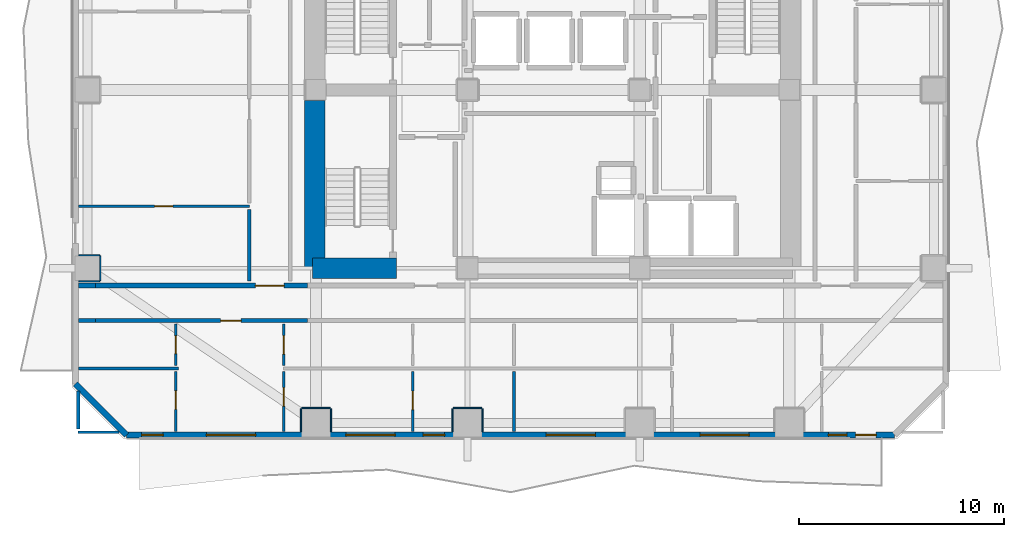
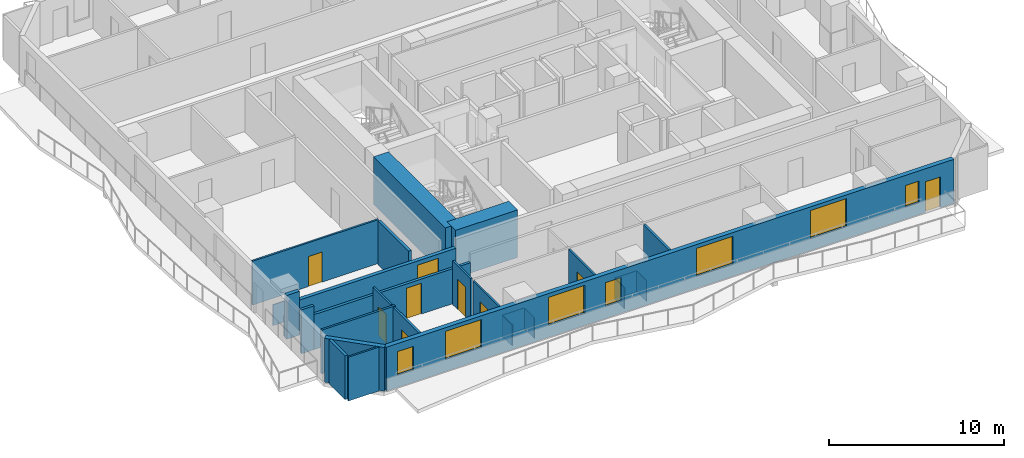
# One storey, part 2 of 12: 28 walls, 9 doors, 7 windows, 16 openings.
"""IFC4 building model written with IfcOpenShell, lengths in metres."""

from ifc_helpers import new_model, si_unit, direction, frame, frame_2d, origin, place, context, subcontext, project, spatial, rectangle, extrude, material, layer, layer_set, type_object, element, fill, save


model = new_model("IFC4")

# Units and contexts
model_context = context("Model", 3, precision=1e-05, world=origin(), true_north=direction((0.0, 1.0)))
body_context = subcontext(model_context, "Body", "Model", "MODEL_VIEW")
ifc_project = project(units=[si_unit("LENGTHUNIT", "METRE"), si_unit("AREAUNIT", "SQUARE_METRE"), si_unit("VOLUMEUNIT", "CUBIC_METRE"), si_unit("PLANEANGLEUNIT", "RADIAN"), si_unit("MASSUNIT", "GRAM", prefix="KILO")], contexts=[model_context])

# Site, building, storey
site_placement = place(None, origin())
site = spatial("IfcSite", under=ifc_project, at=site_placement, CompositionType="ELEMENT")
building_placement = place(site_placement, origin())
building = spatial("IfcBuilding", under=site, at=building_placement, Name="Solanera Arch Residences", CompositionType="ELEMENT")
storey_placement = place(building_placement, frame((0.0, 0.0, 96.1201171875)))
storey = spatial("IfcBuildingStorey", under=building, at=storey_placement, Name="L27", CompositionType="ELEMENT", Elevation=96.1201171875)

# Walls
ifc_material_1 = material(Name="Fire-Rated Gypsum Stud Partition", Category="gypsum")
ifc_layer_1 = layer(ifc_material_1, 0.06005859375)
ifc_layer_set_1 = layer_set([ifc_layer_1], Name="Fire-Rated Gypsum Stud Partition")
wall_type_1 = type_object("IfcWallType", Name="Column Acoustic Furring Wall 60", PredefinedType="PARTITIONING", material=ifc_layer_set_1)
wall_1_placement = place(storey_placement, frame((12.699951171875, 15.181884765625, 0.0), z_axis=(0.0, 0.0, 1.0), x_axis=(1.0, 0.0, 0.0)))
element("IfcWall", 1, at=wall_1_placement, inside=storey, type_object=wall_type_1, Name="L27 Column Furring 9N", PredefinedType="PARTITIONING", context=body_context, shape_type="SweptSolid", body=[
    extrude(rectangle(XDim=1.400146484375, YDim=0.06005859375, at=frame_2d((0.7001953125, 0.0))), origin(), (0.0, 0.0, 1.0), 1.449951171875),
])
for number, where, z_axis, x_axis, name in (
    (2, (12.66796875, 14.030029296875, 0.0), (0.0, 0.0, 1.0), (0.0, 1.0, 0.0), "L27 Column Furring 9W"),
    (3, (14.132080078125, 14.030029296875, 0.0), (0.0, 0.0, 1.0), (0.0, 1.0, 0.0), "L27 Column Furring 9E"),
):
    element("IfcWall", number, at=place(storey_placement, frame(where, z_axis=z_axis, x_axis=x_axis)), inside=storey, type_object=wall_type_1, Name=name, PredefinedType="PARTITIONING", context=body_context, shape_type="SweptSolid", body=[
        extrude(rectangle(XDim=1.119873046875, YDim=0.06005859375, at=frame_2d((0.56005859375, 0.0))), origin(), (0.0, 0.0, 1.0), 1.449951171875),
    ])
wall_2_placement = place(storey_placement, frame((20.10009765625, 15.181884765625, 0.0), z_axis=(0.0, 0.0, 1.0), x_axis=(1.0, 0.0, 0.0)))
element("IfcWall", 4, at=wall_2_placement, inside=storey, type_object=wall_type_1, Name="L27 Column Furring 11N", PredefinedType="PARTITIONING", context=body_context, shape_type="SweptSolid", body=[
    extrude(rectangle(XDim=1.39990234375, YDim=0.06005859375, at=frame_2d((0.699951171875, 0.0))), origin(), (0.0, 0.0, 1.0), 1.449951171875),
])
for number, where, z_axis, x_axis, name in (
    (5, (20.068115234375, 14.030029296875, 0.0), (0.0, 0.0, 1.0), (0.0, 1.0, 0.0), "L27 Column Furring 11W"),
    (6, (21.531982421875, 14.030029296875, 0.0), (0.0, 0.0, 1.0), (0.0, 1.0, 0.0), "L27 Column Furring 11E"),
):
    element("IfcWall", number, at=place(storey_placement, frame(where, z_axis=z_axis, x_axis=x_axis)), inside=storey, type_object=wall_type_1, Name=name, PredefinedType="PARTITIONING", context=body_context, shape_type="SweptSolid", body=[
        extrude(rectangle(XDim=1.119873046875, YDim=0.06005859375, at=frame_2d((0.56005859375, 0.0))), origin(), (0.0, 0.0, 1.0), 1.449951171875),
    ])
for number, where, z_axis, x_axis, name in (
    (7, (1.830078125, 21.367919921875, 0.0), (0.0, 0.0, 1.0), (1.0, 0.0, 0.0), "L27 Column Furring 17S"),
    (8, (1.830078125, 22.632080078125, 0.0), (0.0, 0.0, 1.0), (1.0, 0.0, 0.0), "L27 Column Furring 17N"),
):
    element("IfcWall", number, at=place(storey_placement, frame(where, z_axis=z_axis, x_axis=x_axis)), inside=storey, type_object=wall_type_1, Name=name, PredefinedType="PARTITIONING", context=body_context, shape_type="SweptSolid", body=[
        extrude(rectangle(XDim=1.02001953125, YDim=0.06005859375, at=frame_2d((0.510009765625, 0.0))), origin(), (0.0, 0.0, 1.0), 1.449951171875),
    ])
wall_3_placement = place(storey_placement, frame((2.882080078125, 21.39990234375, 0.0), z_axis=(0.0, 0.0, 1.0), x_axis=(0.0, 1.0, 0.0)))
element("IfcWall", 9, at=wall_3_placement, inside=storey, type_object=wall_type_1, Name="L27 Column Furring 17E", PredefinedType="PARTITIONING", context=body_context, shape_type="SweptSolid", body=[
    extrude(rectangle(XDim=1.2001953125, YDim=0.06005859375, at=frame_2d((0.60009765625, 0.0))), origin(), (0.0, 0.0, 1.0), 1.449951171875),
])
ifc_material_2 = material(Name="Concrete C55/67 (f'c = 60 MPa)", Category="concrete")
ifc_layer_2 = layer(ifc_material_2, 1.0)
ifc_layer_set_2 = layer_set([ifc_layer_2], Name="Concrete C55/67 (f'c = 60 MPa)")
wall_type_2 = type_object("IfcWallType", Name="Core Shear Wall CW-1000", PredefinedType="SHEAR", material=ifc_layer_set_2)
wall_4_placement = place(storey_placement, frame((13.340087890625, 22.0, 0.0), z_axis=(0.0, 0.0, 1.0), x_axis=(0.0, 1.0, 0.0)))
element("IfcWall", 10, at=wall_4_placement, inside=storey, type_object=wall_type_2, Name="L27 West Core South Shear Wall", PredefinedType="SHEAR", context=body_context, shape_type="SweptSolid", body=[
    extrude(rectangle(XDim=8.195068359375, YDim=1.0, at=frame_2d((4.09765625, 0.0))), origin(), (0.0, 0.0, 1.0), 3.31982421875),
])
wall_5_placement = place(storey_placement, frame((13.239990234375, 22.0, 0.0), z_axis=(0.0, 0.0, 1.0), x_axis=(1.0, 0.0, 0.0)))
element("IfcWall", 11, at=wall_5_placement, inside=storey, type_object=wall_type_2, Name="L27 South-West Core Shear Wall", PredefinedType="SHEAR", context=body_context, shape_type="SweptSolid", body=[
    extrude(rectangle(XDim=4.080078125, YDim=1.0, at=frame_2d((2.0400390625, 0.0))), origin(), (0.0, 0.0, 1.0), 3.31982421875),
])
ifc_material_3 = material(Name="Autoclaved Aerated Concrete Blockwork", Category="masonry")
ifc_layer_3 = layer(ifc_material_3, 0.179931640625)
ifc_layer_set_3 = layer_set([ifc_layer_3], Name="Autoclaved Aerated Concrete Blockwork")
wall_type_3 = type_object("IfcWallType", Name="Corridor Fire Partition 180", PredefinedType="PARTITIONING", material=ifc_layer_set_3)
wall_6_placement = place(storey_placement, frame((1.826904296875, 19.449951171875, 0.0), z_axis=(0.0, 0.0, 1.0), x_axis=(1.0, 0.0, 0.0)))
element("IfcWall", 12, at=wall_6_placement, inside=storey, type_object=wall_type_3, Name="L27 Interior Partition H7 1", PredefinedType="PARTITIONING", context=body_context, shape_type="SweptSolid", body=[
    extrude(rectangle(XDim=0.830078125, YDim=0.179931640625, at=frame_2d((0.4150390625, 0.0))), origin(), (0.0, 0.0, 1.0), 3.059814453125),
])

# Wall, opening, door
wall_7_placement = place(storey_placement, frame((2.656982421875, 19.449951171875, 0.0), z_axis=(0.0, 0.0, 1.0), x_axis=(1.0, 0.0, 0.0)))
wall_7 = element("IfcWall", 13, at=wall_7_placement, inside=storey, type_object=wall_type_3, Name="L27 Interior Partition H7 2", PredefinedType="PARTITIONING", context=body_context, shape_type="SweptSolid", body=[
    extrude(rectangle(XDim=10.3359375, YDim=0.179931640625, at=frame_2d((5.16796875, 0.0))), origin(), (0.0, 0.0, 1.0), 2.44482421875),
])
opening_1_placement = place(wall_7_placement, frame((6.09912109375, 0.0, 0.0)))
opening_1 = element("IfcOpeningElement", 14, at=opening_1_placement, cuts=wall_7, Name="Opening DI-01", PredefinedType="OPENING", context=body_context, shape_type="SweptSolid", body=[
    extrude(rectangle(XDim=1.0, YDim=2.14990234375, at=frame_2d((0.5, 1.074951171875))), frame((0.0, 0.10009765625, 0.0), z_axis=(0.0, -1.0, 0.0), x_axis=(1.0, 0.0, 0.0)), (0.0, 0.0, 1.0), 0.1999),
])
ifc_material_4 = material(Name="Fire-Rated Architectural Hardwood", Category="wood")
door_type_1 = type_object("IfcDoorType", Name="Unit Entrance Fire Door DI-01", OperationType="NOTDEFINED", PredefinedType="DOOR", material=ifc_material_4)
door_1_placement = place(opening_1_placement, origin())
door_1 = element("IfcDoor", 15, at=door_1_placement, inside=storey, type_object=door_type_1, Name="DR-L27-IN-017", OperationType="SINGLE_SWING_RIGHT", OverallHeight=2.14990234375, OverallWidth=1.0, PredefinedType="DOOR", context=body_context, shape_type="SweptSolid", body=[
    extrude(rectangle(XDim=1.0, YDim=2.14990234375, at=frame_2d((0.5, 1.074951171875))), frame((0.0, 0.02490234375, 0.0), z_axis=(0.0, -1.0, 0.0), x_axis=(1.0, 0.0, 0.0)), (0.0, 0.0, 1.0), 0.050048828125),
])
fill(opening_1, door_1)

# Walls
wall_8_placement = place(storey_placement, frame((1.800048828125, 14.157958984375, 0.0), z_axis=(0.0, 0.0, 1.0), x_axis=(0.0, 1.0, 0.0)))
element("IfcWall", 16, at=wall_8_placement, inside=storey, type_object=wall_type_3, Name="L27 Interior Partition V7 1", PredefinedType="PARTITIONING", context=body_context, shape_type="SweptSolid", body=[
    extrude(rectangle(XDim=1.843017578125, YDim=0.179931640625, at=frame_2d((0.92138671875, 0.0))), origin(), (0.0, 0.0, 1.0), 3.059814453125),
])
wall_9_placement = place(storey_placement, frame((10.14990234375, 21.367919921875, 0.0), z_axis=(0.0, 0.0, 1.0), x_axis=(0.0, 1.0, 0.0)))
element("IfcWall", 17, at=wall_9_placement, inside=storey, type_object=wall_type_3, Name="L27 Interior Partition V8 1", PredefinedType="PARTITIONING", context=body_context, shape_type="SweptSolid", body=[
    extrude(rectangle(XDim=3.4921875, YDim=0.179931640625, at=frame_2d((1.74609375, 0.0))), origin(), (0.0, 0.0, 1.0), 3.059814453125),
])

# Wall, openings, door, windows
ifc_material_5 = material(Name="Precast Concrete C35/45", Category="concrete")
ifc_layer_4 = layer(ifc_material_5, 0.300048828125)
ifc_layer_set_4 = layer_set([ifc_layer_4], Name="Precast Concrete C35/45")
wall_type_4 = type_object("IfcWallType", Name="Exterior Wall Precast Masonry-Frame 300", PredefinedType="STANDARD", material=ifc_layer_set_4)
wall_10_placement = place(storey_placement, frame((41.635009765625, 13.864990234375, 0.0), z_axis=(0.0, 0.0, 1.0), x_axis=(-1.0, 0.0, 0.0)))
wall_10 = element("IfcWall", 18, at=wall_10_placement, inside=storey, type_object=wall_type_4, Name="L27 Tower Exterior Precast Masonry-Frame Wall S", PredefinedType="STANDARD", context=body_context, shape_type="SweptSolid", body=[
    extrude(rectangle(XDim=37.469970703125, YDim=0.300048828125, at=frame_2d((18.73486328125, 0.0))), origin(), (0.0, 0.0, 1.0), 3.059814453125),
])
opening_2_placement = place(wall_10_placement, frame((0.90087890625, 0.0, 0.0)))
opening_2 = element("IfcOpeningElement", 19, at=opening_2_placement, cuts=wall_10, Name="Opening DB-01", PredefinedType="OPENING", context=body_context, shape_type="SweptSolid", body=[
    extrude(rectangle(XDim=1.0, YDim=2.14990234375, at=frame_2d((0.5, 1.074951171875))), frame((0.0, 0.159912109375, 0.0), z_axis=(0.0, -1.0, 0.0), x_axis=(1.0, 0.0, 0.0)), (0.0, 0.0, 1.0), 0.32),
])
opening_3_placement = place(wall_10_placement, frame((31.178955078125, 0.0, 0.85009765625)))
opening_3 = element("IfcOpeningElement", 20, at=opening_3_placement, cuts=wall_10, Name="Opening W-05", PredefinedType="OPENING", context=body_context, shape_type="SweptSolid", body=[
    extrude(rectangle(XDim=2.39990234375, YDim=1.949951171875, at=frame_2d((1.199951171875, 0.97509765625))), frame((0.0, 0.159912109375, 0.0), z_axis=(0.0, -1.0, 0.0), x_axis=(1.0, 0.0, 0.0)), (0.0, 0.0, 1.0), 0.32),
])
opening_4_placement = place(wall_10_placement, frame((35.68603515625, 0.0, 0.85009765625)))
opening_4 = element("IfcOpeningElement", 21, at=opening_4_placement, cuts=wall_10, Name="Opening W-07", PredefinedType="OPENING", context=body_context, shape_type="SweptSolid", body=[
    extrude(rectangle(XDim=1.050048828125, YDim=1.64990234375, at=frame_2d((0.52490234375, 0.824951171875))), frame((0.0, 0.159912109375, 0.0), z_axis=(0.0, -1.0, 0.0), x_axis=(1.0, 0.0, 0.0)), (0.0, 0.0, 1.0), 0.32),
])
opening_5_placement = place(wall_10_placement, frame((24.3740234375, 0.0, 0.85009765625)))
opening_5 = element("IfcOpeningElement", 22, at=opening_5_placement, cuts=wall_10, Name="Opening W-05", PredefinedType="OPENING", context=body_context, shape_type="SweptSolid", body=[
    extrude(rectangle(XDim=2.39990234375, YDim=1.949951171875, at=frame_2d((1.199951171875, 0.97509765625))), frame((0.0, 0.159912109375, 0.0), z_axis=(0.0, -1.0, 0.0), x_axis=(1.0, 0.0, 0.0)), (0.0, 0.0, 1.0), 0.32),
])
opening_6_placement = place(wall_10_placement, frame((21.949951171875, 0.0, 0.85009765625)))
opening_6 = element("IfcOpeningElement", 23, at=opening_6_placement, cuts=wall_10, Name="Opening W-07", PredefinedType="OPENING", context=body_context, shape_type="SweptSolid", body=[
    extrude(rectangle(XDim=1.050048828125, YDim=1.64990234375, at=frame_2d((0.52490234375, 0.824951171875))), frame((0.0, 0.159912109375, 0.0), z_axis=(0.0, -1.0, 0.0), x_axis=(1.0, 0.0, 0.0)), (0.0, 0.0, 1.0), 0.32),
])
opening_7_placement = place(wall_10_placement, frame((7.094970703125, 0.0, 0.85009765625)))
opening_7 = element("IfcOpeningElement", 24, at=opening_7_placement, cuts=wall_10, Name="Opening W-05", PredefinedType="OPENING", context=body_context, shape_type="SweptSolid", body=[
    extrude(rectangle(XDim=2.39990234375, YDim=1.949951171875, at=frame_2d((1.199951171875, 0.97509765625))), frame((0.0, 0.159912109375, 0.0), z_axis=(0.0, -1.0, 0.0), x_axis=(1.0, 0.0, 0.0)), (0.0, 0.0, 1.0), 0.32),
])
opening_8_placement = place(wall_10_placement, frame((14.59912109375, 0.0, 0.85009765625)))
opening_8 = element("IfcOpeningElement", 25, at=opening_8_placement, cuts=wall_10, Name="Opening W-05", PredefinedType="OPENING", context=body_context, shape_type="SweptSolid", body=[
    extrude(rectangle(XDim=2.39990234375, YDim=1.949951171875, at=frame_2d((1.199951171875, 0.97509765625))), frame((0.0, 0.159912109375, 0.0), z_axis=(0.0, -1.0, 0.0), x_axis=(1.0, 0.0, 0.0)), (0.0, 0.0, 1.0), 0.32),
])
opening_9_placement = place(wall_10_placement, frame((2.327880859375, 0.0, 0.85009765625)))
opening_9 = element("IfcOpeningElement", 26, at=opening_9_placement, cuts=wall_10, Name="Opening W-06", PredefinedType="OPENING", context=body_context, shape_type="SweptSolid", body=[
    extrude(rectangle(XDim=0.89990234375, YDim=1.5, at=frame_2d((0.449951171875, 0.75))), frame((0.0, 0.159912109375, 0.0), z_axis=(0.0, -1.0, 0.0), x_axis=(1.0, 0.0, 0.0)), (0.0, 0.0, 1.0), 0.32),
])
ifc_material_6 = material(Name="Anodised Aluminium Alloy 6063-T6", Category="aluminium")
door_type_2 = type_object("IfcDoorType", Name="Glazed Balcony Swing Door DB-01", OperationType="NOTDEFINED", PredefinedType="DOOR", material=ifc_material_6)
door_2_placement = place(opening_2_placement, origin())
door_2 = element("IfcDoor", 27, at=door_2_placement, inside=storey, type_object=door_type_2, Name="DR-L27-OUT-01", OperationType="SINGLE_SWING_LEFT", OverallHeight=2.14990234375, OverallWidth=1.0, PredefinedType="DOOR", context=body_context, shape_type="SweptSolid", body=[
    extrude(rectangle(XDim=1.0, YDim=2.14990234375, at=frame_2d((0.5, 1.074951171875))), frame((0.0, 0.02490234375, 0.0), z_axis=(0.0, -1.0, 0.0), x_axis=(1.0, 0.0, 0.0)), (0.0, 0.0, 1.0), 0.050048828125),
])
fill(opening_2, door_2)
ifc_material_7 = material(Name="Double Glazed Low-E Laminated Glass", Category="glass")
window_type_1 = type_object("IfcWindowType", Name="Punched Window W-05", PartitioningType="TRIPLE_PANEL_VERTICAL", PredefinedType="WINDOW", material=ifc_material_7)
window_1_placement = place(opening_3_placement, origin())
window_1 = element("IfcWindow", 28, at=window_1_placement, inside=storey, type_object=window_type_1, Name="L27 2701-LIV Punched Window", OverallHeight=1.949951171875, OverallWidth=2.39990234375, PartitioningType="SINGLE_PANEL", PredefinedType="WINDOW", context=body_context, shape_type="SweptSolid", body=[
    extrude(rectangle(XDim=2.39990234375, YDim=1.949951171875, at=frame_2d((1.199951171875, 0.97509765625))), frame((0.0, 0.030029296875, 0.0), z_axis=(0.0, -1.0, 0.0), x_axis=(1.0, 0.0, 0.0)), (0.0, 0.0, 1.0), 0.06005859375),
])
fill(opening_3, window_1)
window_2_placement = place(opening_5_placement, origin())
window_2 = element("IfcWindow", 29, at=window_2_placement, inside=storey, type_object=window_type_1, Name="L27 2701-BR2 Punched Window", OverallHeight=1.949951171875, OverallWidth=2.39990234375, PartitioningType="SINGLE_PANEL", PredefinedType="WINDOW", context=body_context, shape_type="SweptSolid", body=[
    extrude(rectangle(XDim=2.39990234375, YDim=1.949951171875, at=frame_2d((1.199951171875, 0.97509765625))), frame((0.0, 0.030029296875, 0.0), z_axis=(0.0, -1.0, 0.0), x_axis=(1.0, 0.0, 0.0)), (0.0, 0.0, 1.0), 0.06005859375),
])
fill(opening_5, window_2)
window_3_placement = place(opening_7_placement, origin())
window_3 = element("IfcWindow", 30, at=window_3_placement, inside=storey, type_object=window_type_1, Name="L27 2702-LIV Punched Window", OverallHeight=1.949951171875, OverallWidth=2.39990234375, PartitioningType="SINGLE_PANEL", PredefinedType="WINDOW", context=body_context, shape_type="SweptSolid", body=[
    extrude(rectangle(XDim=2.39990234375, YDim=1.949951171875, at=frame_2d((1.199951171875, 0.97509765625))), frame((0.0, 0.030029296875, 0.0), z_axis=(0.0, -1.0, 0.0), x_axis=(1.0, 0.0, 0.0)), (0.0, 0.0, 1.0), 0.06005859375),
])
fill(opening_7, window_3)
window_4_placement = place(opening_8_placement, origin())
window_4 = element("IfcWindow", 31, at=window_4_placement, inside=storey, type_object=window_type_1, Name="L27 2702-BR1 Punched Window", OverallHeight=1.949951171875, OverallWidth=2.39990234375, PartitioningType="SINGLE_PANEL", PredefinedType="WINDOW", context=body_context, shape_type="SweptSolid", body=[
    extrude(rectangle(XDim=2.39990234375, YDim=1.949951171875, at=frame_2d((1.199951171875, 0.97509765625))), frame((0.0, 0.030029296875, 0.0), z_axis=(0.0, -1.0, 0.0), x_axis=(1.0, 0.0, 0.0)), (0.0, 0.0, 1.0), 0.06005859375),
])
fill(opening_8, window_4)
ifc_material_8 = material(Name="Double Glazed Low-E Laminated Glass", Category="glass")
window_type_2 = type_object("IfcWindowType", Name="Punched Window W-06", PartitioningType="SINGLE_PANEL", PredefinedType="WINDOW", material=ifc_material_8)
window_5_placement = place(opening_9_placement, origin())
window_5 = element("IfcWindow", 32, at=window_5_placement, inside=storey, type_object=window_type_2, Name="L27 2702-BR2 Punched Window", OverallHeight=1.5, OverallWidth=0.89990234375, PartitioningType="SINGLE_PANEL", PredefinedType="WINDOW", context=body_context, shape_type="SweptSolid", body=[
    extrude(rectangle(XDim=0.89990234375, YDim=1.5, at=frame_2d((0.449951171875, 0.75))), frame((0.0, 0.030029296875, 0.0), z_axis=(0.0, -1.0, 0.0), x_axis=(1.0, 0.0, 0.0)), (0.0, 0.0, 1.0), 0.06005859375),
])
fill(opening_9, window_5)
ifc_material_9 = material(Name="Double Glazed Low-E Laminated Glass", Category="glass")
window_type_3 = type_object("IfcWindowType", Name="Punched Window W-07", PartitioningType="SINGLE_PANEL", PredefinedType="WINDOW", material=ifc_material_9)
window_6_placement = place(opening_4_placement, origin())
window_6 = element("IfcWindow", 33, at=window_6_placement, inside=storey, type_object=window_type_3, Name="L27 2701-BR1 Punched Window", OverallHeight=1.64990234375, OverallWidth=1.050048828125, PartitioningType="SINGLE_PANEL", PredefinedType="WINDOW", context=body_context, shape_type="SweptSolid", body=[
    extrude(rectangle(XDim=1.050048828125, YDim=1.64990234375, at=frame_2d((0.52490234375, 0.824951171875))), frame((0.0, 0.030029296875, 0.0), z_axis=(0.0, -1.0, 0.0), x_axis=(1.0, 0.0, 0.0)), (0.0, 0.0, 1.0), 0.06005859375),
])
fill(opening_4, window_6)
window_7_placement = place(opening_6_placement, origin())
window_7 = element("IfcWindow", 34, at=window_7_placement, inside=storey, type_object=window_type_3, Name="L27 2701-BR3 Punched Window", OverallHeight=1.64990234375, OverallWidth=1.050048828125, PartitioningType="SINGLE_PANEL", PredefinedType="WINDOW", context=body_context, shape_type="SweptSolid", body=[
    extrude(rectangle(XDim=1.050048828125, YDim=1.64990234375, at=frame_2d((0.52490234375, 0.824951171875))), frame((0.0, 0.030029296875, 0.0), z_axis=(0.0, -1.0, 0.0), x_axis=(1.0, 0.0, 0.0)), (0.0, 0.0, 1.0), 0.06005859375),
])
fill(opening_6, window_7)

# Walls
wall_11_placement = place(storey_placement, frame((4.1650390625, 13.864990234375, 0.0), z_axis=(0.0, 0.0, 1.0), x_axis=(-0.707106781187, 0.707106781187, 0.0)))
element("IfcWall", 35, at=wall_11_placement, inside=storey, type_object=wall_type_4, Name="L27 Tower Exterior Precast Masonry-Frame Wall CH7", PredefinedType="STANDARD", context=body_context, shape_type="SweptSolid", body=[
    extrude(rectangle(XDim=3.53564453125, YDim=0.300048828125, at=frame_2d((1.767822265625, 0.0))), origin(), (0.0, 0.0, 1.0), 3.059814453125),
])
ifc_material_10 = material(Name="Autoclaved Aerated Concrete Blockwork", Category="masonry")
ifc_layer_5 = layer(ifc_material_10, 0.239990234375)
ifc_layer_set_5 = layer_set([ifc_layer_5], Name="Autoclaved Aerated Concrete Blockwork")
wall_type_5 = type_object("IfcWallType", Name="Shaft Wall Fire-Rated 240", PredefinedType="PARTITIONING", material=ifc_layer_set_5)
wall_12_placement = place(storey_placement, frame((1.826904296875, 21.14990234375, 0.0), z_axis=(0.0, 0.0, 1.0), x_axis=(1.0, 0.0, 0.0)))
element("IfcWall", 36, at=wall_12_placement, inside=storey, type_object=wall_type_5, Name="L27 Interior Partition H1 1", PredefinedType="PARTITIONING", context=body_context, shape_type="SweptSolid", body=[
    extrude(rectangle(XDim=0.830078125, YDim=0.239990234375, at=frame_2d((0.4150390625, 0.0))), origin(), (0.0, 0.0, 1.0), 3.059814453125),
])

# Wall, opening, door
wall_13_placement = place(storey_placement, frame((2.656982421875, 21.14990234375, 0.0), z_axis=(0.0, 0.0, 1.0), x_axis=(1.0, 0.0, 0.0)))
wall_13 = element("IfcWall", 37, at=wall_13_placement, inside=storey, type_object=wall_type_5, Name="L27 Interior Partition H1 2", PredefinedType="PARTITIONING", context=body_context, shape_type="SweptSolid", body=[
    extrude(rectangle(XDim=10.3359375, YDim=0.239990234375, at=frame_2d((5.16796875, 0.0))), origin(), (0.0, 0.0, 1.0), 2.44482421875),
])
opening_10_placement = place(wall_13_placement, frame((7.79296875, 0.0, 0.0)))
opening_10 = element("IfcOpeningElement", 38, at=opening_10_placement, cuts=wall_13, Name="Opening DF-03", PredefinedType="OPENING", context=body_context, shape_type="SweptSolid", body=[
    extrude(rectangle(XDim=1.39990234375, YDim=2.14990234375, at=frame_2d((0.699951171875, 1.074951171875))), frame((0.0, 0.1298828125, 0.0), z_axis=(0.0, -1.0, 0.0), x_axis=(1.0, 0.0, 0.0)), (0.0, 0.0, 1.0), 0.26),
])
ifc_material_11 = material(Name="Fire-Rated Architectural Hardwood", Category="wood")
door_type_3 = type_object("IfcDoorType", Name="Corridor Smoke Door DF-03", OperationType="NOTDEFINED", PredefinedType="DOOR", material=ifc_material_11)
door_3_placement = place(opening_10_placement, origin())
door_3 = element("IfcDoor", 39, at=door_3_placement, inside=storey, type_object=door_type_3, Name="DR-L27-IN-010", OperationType="SINGLE_SWING_LEFT", OverallHeight=2.14990234375, OverallWidth=1.39990234375, PredefinedType="DOOR", context=body_context, shape_type="SweptSolid", body=[
    extrude(rectangle(XDim=1.39990234375, YDim=2.14990234375, at=frame_2d((0.699951171875, 1.074951171875))), frame((0.0, 0.02490234375, 0.0), z_axis=(0.0, -1.0, 0.0), x_axis=(1.0, 0.0, 0.0)), (0.0, 0.0, 1.0), 0.050048828125),
])
fill(opening_10, door_3)

# Wall
ifc_material_12 = material(Name="Fire-Rated Gypsum Stud Partition", Category="gypsum")
ifc_layer_6 = layer(ifc_material_12, 0.1201171875)
ifc_layer_set_6 = layer_set([ifc_layer_6], Name="Fire-Rated Gypsum Stud Partition")
wall_type_6 = type_object("IfcWallType", Name="Unit Drywall Partition 120", PredefinedType="PARTITIONING", material=ifc_layer_set_6)
wall_14_placement = place(storey_placement, frame((1.800048828125, 14.0, 0.0), z_axis=(0.0, 0.0, 1.0), x_axis=(1.0, 0.0, 0.0)))
element("IfcWall", 40, at=wall_14_placement, inside=storey, type_object=wall_type_6, Name="L27 Interior Partition H20 1", PredefinedType="PARTITIONING", context=body_context, shape_type="SweptSolid", body=[
    extrude(rectangle(XDim=2.0009765625, YDim=0.1201171875, at=frame_2d((1.00048828125, 0.0))), origin(), (0.0, 0.0, 1.0), 3.059814453125),
])

# Wall, opening, door
wall_15_placement = place(storey_placement, frame((1.826904296875, 25.01806640625, 0.0), z_axis=(0.0, 0.0, 1.0), x_axis=(1.0, 0.0, 0.0)))
wall_15 = element("IfcWall", 41, at=wall_15_placement, inside=storey, type_object=wall_type_6, Name="L27 Interior Partition H21", PredefinedType="PARTITIONING", context=body_context, shape_type="SweptSolid", body=[
    extrude(rectangle(XDim=8.322998046875, YDim=0.1201171875, at=frame_2d((4.16162109375, 0.0))), origin(), (0.0, 0.0, 1.0), 3.059814453125),
])
opening_11_placement = place(wall_15_placement, frame((3.697998046875, 0.0, 0.0)))
opening_11 = element("IfcOpeningElement", 42, at=opening_11_placement, cuts=wall_15, Name="Opening DI-02", PredefinedType="OPENING", context=body_context, shape_type="SweptSolid", body=[
    extrude(rectangle(XDim=0.89990234375, YDim=2.10009765625, at=frame_2d((0.449951171875, 1.050048828125))), frame((0.0, 0.070068359375, 0.0), z_axis=(0.0, -1.0, 0.0), x_axis=(1.0, 0.0, 0.0)), (0.0, 0.0, 1.0), 0.1401),
])
ifc_material_13 = material(Name="Fire-Rated Architectural Hardwood", Category="wood")
door_type_4 = type_object("IfcDoorType", Name="Suite Room Swing Door DI-02", OperationType="NOTDEFINED", PredefinedType="DOOR", material=ifc_material_13)
door_4_placement = place(opening_11_placement, origin())
door_4 = element("IfcDoor", 43, at=door_4_placement, inside=storey, type_object=door_type_4, Name="DR-L27-IN-043", OperationType="SINGLE_SWING_RIGHT", OverallHeight=2.10009765625, OverallWidth=0.89990234375, PredefinedType="DOOR", context=body_context, shape_type="SweptSolid", body=[
    extrude(rectangle(XDim=0.89990234375, YDim=2.10009765625, at=frame_2d((0.449951171875, 1.050048828125))), frame((0.0, 0.02490234375, 0.0), z_axis=(0.0, -1.0, 0.0), x_axis=(1.0, 0.0, 0.0)), (0.0, 0.0, 1.0), 0.050048828125),
])
fill(opening_11, door_4)

wall_16_placement = place(storey_placement, frame((11.820068359375, 14.027099609375, 0.0), z_axis=(0.0, 0.0, 1.0), x_axis=(0.0, 1.0, 0.0)))
wall_16 = element("IfcWall", 44, at=wall_16_placement, inside=storey, type_object=wall_type_6, Name="L27 Interior Partition V21 1", PredefinedType="PARTITIONING", context=body_context, shape_type="SweptSolid", body=[
    extrude(rectangle(XDim=2.94189453125, YDim=0.1201171875, at=frame_2d((1.470947265625, 0.0))), origin(), (0.0, 0.0, 1.0), 3.059814453125),
])
opening_12_placement = place(wall_16_placement, frame((1.2490234375, 0.0, 0.0)))
opening_12 = element("IfcOpeningElement", 45, at=opening_12_placement, cuts=wall_16, Name="Opening DI-03", PredefinedType="OPENING", context=body_context, shape_type="SweptSolid", body=[
    extrude(rectangle(XDim=0.89990234375, YDim=2.10009765625, at=frame_2d((0.449951171875, 1.050048828125))), frame((0.0, 0.070068359375, 0.0), z_axis=(0.0, -1.0, 0.0), x_axis=(1.0, 0.0, 0.0)), (0.0, 0.0, 1.0), 0.1401),
])
ifc_material_14 = material(Name="Fire-Rated Architectural Hardwood", Category="wood")
door_type_5 = type_object("IfcDoorType", Name="Bedroom Swing Door DI-03", OperationType="NOTDEFINED", PredefinedType="DOOR", material=ifc_material_14)
door_5_placement = place(opening_12_placement, origin())
door_5 = element("IfcDoor", 46, at=door_5_placement, inside=storey, type_object=door_type_5, Name="DR-L27-IN-022", OperationType="SINGLE_SWING_LEFT", OverallHeight=2.10009765625, OverallWidth=0.89990234375, PredefinedType="DOOR", context=body_context, shape_type="SweptSolid", body=[
    extrude(rectangle(XDim=0.89990234375, YDim=2.10009765625, at=frame_2d((0.449951171875, 1.050048828125))), frame((0.0, 0.02490234375, 0.0), z_axis=(0.0, -1.0, 0.0), x_axis=(1.0, 0.0, 0.0)), (0.0, 0.0, 1.0), 0.050048828125),
])
fill(opening_12, door_5)

wall_17_placement = place(storey_placement, frame((11.820068359375, 17.2451171875, 0.0), z_axis=(0.0, 0.0, 1.0), x_axis=(0.0, 1.0, 0.0)))
wall_17 = element("IfcWall", 47, at=wall_17_placement, inside=storey, type_object=wall_type_6, Name="L27 Interior Partition V21 2", PredefinedType="PARTITIONING", context=body_context, shape_type="SweptSolid", body=[
    extrude(rectangle(XDim=2.046875, YDim=0.1201171875, at=frame_2d((1.0234375, 0.0))), origin(), (0.0, 0.0, 1.0), 3.059814453125),
])
opening_13_placement = place(wall_17_placement, frame((0.571044921875, 0.0, 0.0)))
opening_13 = element("IfcOpeningElement", 48, at=opening_13_placement, cuts=wall_17, Name="Opening DI-02", PredefinedType="OPENING", context=body_context, shape_type="SweptSolid", body=[
    extrude(rectangle(XDim=0.89990234375, YDim=2.10009765625, at=frame_2d((0.449951171875, 1.050048828125))), frame((0.0, 0.070068359375, 0.0), z_axis=(0.0, -1.0, 0.0), x_axis=(1.0, 0.0, 0.0)), (0.0, 0.0, 1.0), 0.1401),
])
door_6_placement = place(opening_13_placement, origin())
door_6 = element("IfcDoor", 49, at=door_6_placement, inside=storey, type_object=door_type_4, Name="DR-L27-IN-020", OperationType="SINGLE_SWING_LEFT", OverallHeight=2.10009765625, OverallWidth=0.89990234375, PredefinedType="DOOR", context=body_context, shape_type="SweptSolid", body=[
    extrude(rectangle(XDim=0.89990234375, YDim=2.10009765625, at=frame_2d((0.449951171875, 1.050048828125))), frame((0.0, 0.02490234375, 0.0), z_axis=(0.0, -1.0, 0.0), x_axis=(1.0, 0.0, 0.0)), (0.0, 0.0, 1.0), 0.050048828125),
])
fill(opening_13, door_6)

wall_18_placement = place(storey_placement, frame((18.12109375, 14.027099609375, 0.0), z_axis=(0.0, 0.0, 1.0), x_axis=(0.0, 1.0, 0.0)))
wall_18 = element("IfcWall", 50, at=wall_18_placement, inside=storey, type_object=wall_type_6, Name="L27 Interior Partition V22 1", PredefinedType="PARTITIONING", context=body_context, shape_type="SweptSolid", body=[
    extrude(rectangle(XDim=2.94189453125, YDim=0.1201171875, at=frame_2d((1.470947265625, 0.0))), origin(), (0.0, 0.0, 1.0), 3.059814453125),
])
opening_14_placement = place(wall_18_placement, frame((1.076904296875, 0.0, 0.0)))
opening_14 = element("IfcOpeningElement", 51, at=opening_14_placement, cuts=wall_18, Name="Opening DI-03", PredefinedType="OPENING", context=body_context, shape_type="SweptSolid", body=[
    extrude(rectangle(XDim=0.89990234375, YDim=2.10009765625, at=frame_2d((0.449951171875, 1.050048828125))), frame((0.0, 0.070068359375, 0.0), z_axis=(0.0, -1.0, 0.0), x_axis=(1.0, 0.0, 0.0)), (0.0, 0.0, 1.0), 0.1401),
])
door_7_placement = place(opening_14_placement, origin())
door_7 = element("IfcDoor", 52, at=door_7_placement, inside=storey, type_object=door_type_5, Name="DR-L27-IN-023", OperationType="SINGLE_SWING_RIGHT", OverallHeight=2.10009765625, OverallWidth=0.89990234375, PredefinedType="DOOR", context=body_context, shape_type="SweptSolid", body=[
    extrude(rectangle(XDim=0.89990234375, YDim=2.10009765625, at=frame_2d((0.449951171875, 1.050048828125))), frame((0.0, 0.02490234375, 0.0), z_axis=(0.0, -1.0, 0.0), x_axis=(1.0, 0.0, 0.0)), (0.0, 0.0, 1.0), 0.050048828125),
])
fill(opening_14, door_7)

# Wall
ifc_material_15 = material(Name="Autoclaved Aerated Concrete Blockwork", Category="masonry")
ifc_layer_7 = layer(ifc_material_15, 0.139892578125)
ifc_layer_set_7 = layer_set([ifc_layer_7], Name="Autoclaved Aerated Concrete Blockwork")
wall_type_7 = type_object("IfcWallType", Name="Wet-Room Partition 140", PredefinedType="PARTITIONING", material=ifc_layer_set_7)
wall_19_placement = place(storey_placement, frame((1.826904296875, 17.10693359375, 0.0), z_axis=(0.0, 0.0, 1.0), x_axis=(1.0, 0.0, 0.0)))
element("IfcWall", 53, at=wall_19_placement, inside=storey, type_object=wall_type_7, Name="L27 Interior Partition H13", PredefinedType="PARTITIONING", context=body_context, shape_type="SweptSolid", body=[
    extrude(rectangle(XDim=4.8662109375, YDim=0.139892578125, at=frame_2d((2.43310546875, 0.0))), origin(), (0.0, 0.0, 1.0), 3.059814453125),
])

# Wall, opening, door
wall_20_placement = place(storey_placement, frame((6.55908203125, 14.027099609375, 0.0), z_axis=(0.0, 0.0, 1.0), x_axis=(0.0, 1.0, 0.0)))
wall_20 = element("IfcWall", 54, at=wall_20_placement, inside=storey, type_object=wall_type_7, Name="L27 Interior Partition V14 1", PredefinedType="PARTITIONING", context=body_context, shape_type="SweptSolid", body=[
    extrude(rectangle(XDim=2.931884765625, YDim=0.139892578125, at=frame_2d((1.4658203125, 0.0))), origin(), (0.0, 0.0, 1.0), 3.059814453125),
])
opening_15_placement = place(wall_20_placement, frame((1.089111328125, 0.0, 0.0)))
opening_15 = element("IfcOpeningElement", 55, at=opening_15_placement, cuts=wall_20, Name="Opening DI-03", PredefinedType="OPENING", context=body_context, shape_type="SweptSolid", body=[
    extrude(rectangle(XDim=0.89990234375, YDim=2.10009765625, at=frame_2d((0.449951171875, 1.050048828125))), frame((0.0, 0.079833984375, 0.0), z_axis=(0.0, -1.0, 0.0), x_axis=(1.0, 0.0, 0.0)), (0.0, 0.0, 1.0), 0.1599),
])
door_8_placement = place(opening_15_placement, origin())
door_8 = element("IfcDoor", 56, at=door_8_placement, inside=storey, type_object=door_type_5, Name="DR-L27-IN-019", OperationType="SINGLE_SWING_RIGHT", OverallHeight=2.10009765625, OverallWidth=0.89990234375, PredefinedType="DOOR", context=body_context, shape_type="SweptSolid", body=[
    extrude(rectangle(XDim=0.89990234375, YDim=2.10009765625, at=frame_2d((0.449951171875, 1.050048828125))), frame((0.0, 0.02490234375, 0.0), z_axis=(0.0, -1.0, 0.0), x_axis=(1.0, 0.0, 0.0)), (0.0, 0.0, 1.0), 0.050048828125),
])
fill(opening_15, door_8)

wall_21_placement = place(storey_placement, frame((6.55908203125, 17.2548828125, 0.0), z_axis=(0.0, 0.0, 1.0), x_axis=(0.0, 1.0, 0.0)))
wall_21 = element("IfcWall", 57, at=wall_21_placement, inside=storey, type_object=wall_type_7, Name="L27 Interior Partition V14 2", PredefinedType="PARTITIONING", context=body_context, shape_type="SweptSolid", body=[
    extrude(rectangle(XDim=2.027099609375, YDim=0.139892578125, at=frame_2d((1.013671875, 0.0))), origin(), (0.0, 0.0, 1.0), 3.059814453125),
])
opening_16_placement = place(wall_21_placement, frame((0.5810546875, 0.0, 0.0)))
opening_16 = element("IfcOpeningElement", 58, at=opening_16_placement, cuts=wall_21, Name="Opening DI-05", PredefinedType="OPENING", context=body_context, shape_type="SweptSolid", body=[
    extrude(rectangle(XDim=0.860107421875, YDim=2.02001953125, at=frame_2d((0.43017578125, 1.010009765625))), frame((0.0, 0.079833984375, 0.0), z_axis=(0.0, -1.0, 0.0), x_axis=(1.0, 0.0, 0.0)), (0.0, 0.0, 1.0), 0.1599),
])
ifc_material_16 = material(Name="Fire-Rated Architectural Hardwood", Category="wood")
door_type_6 = type_object("IfcDoorType", Name="Bathroom Swing Door DI-05", OperationType="NOTDEFINED", PredefinedType="DOOR", material=ifc_material_16)
door_9_placement = place(opening_16_placement, origin())
door_9 = element("IfcDoor", 59, at=door_9_placement, inside=storey, type_object=door_type_6, Name="DR-L27-IN-018", OperationType="SINGLE_SWING_LEFT", OverallHeight=2.02001953125, OverallWidth=0.860107421875, PredefinedType="DOOR", context=body_context, shape_type="SweptSolid", body=[
    extrude(rectangle(XDim=0.860107421875, YDim=2.02001953125, at=frame_2d((0.43017578125, 1.010009765625))), frame((0.0, 0.02490234375, 0.0), z_axis=(0.0, -1.0, 0.0), x_axis=(1.0, 0.0, 0.0)), (0.0, 0.0, 1.0), 0.050048828125),
])
fill(opening_16, door_9)

# Wall
wall_22_placement = place(storey_placement, frame((23.072021484375, 14.027099609375, 0.0), z_axis=(0.0, 0.0, 1.0), x_axis=(0.0, 1.0, 0.0)))
element("IfcWall", 60, at=wall_22_placement, inside=storey, type_object=wall_type_7, Name="L27 Interior Partition V17 1", PredefinedType="PARTITIONING", context=body_context, shape_type="SweptSolid", body=[
    extrude(rectangle(XDim=2.931884765625, YDim=0.139892578125, at=frame_2d((1.4658203125, 0.0))), origin(), (0.0, 0.0, 1.0), 3.059814453125),
])

save(model, "model.ifc")
